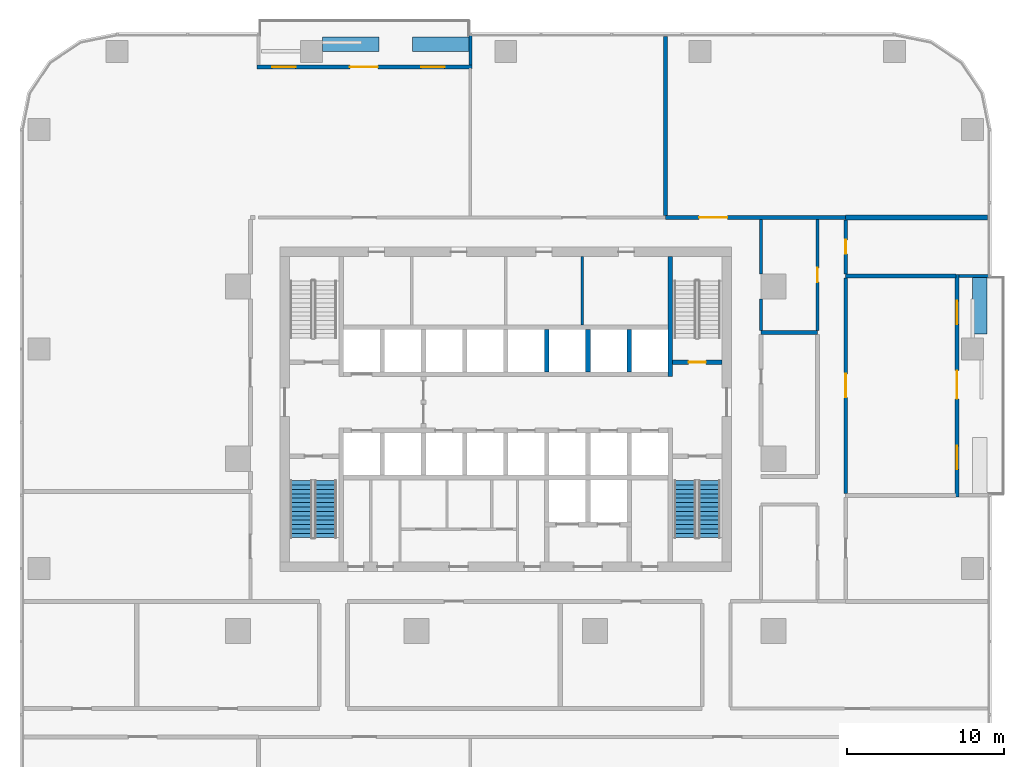
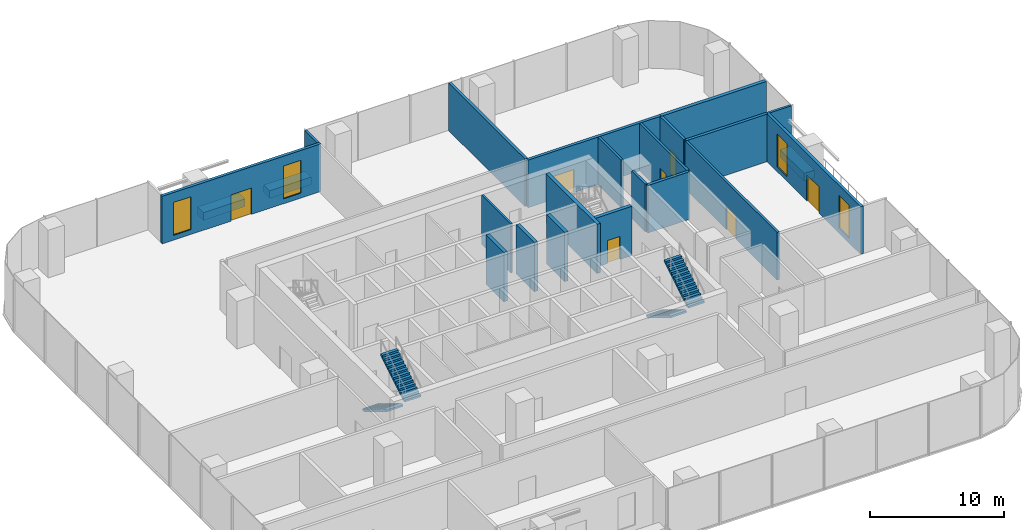
# One storey, part 10 of 15: 23 walls, 7 doors, 4 stair flights, 4 windows, 11 openings, 2 elements without a shape of their own.
"""IFC4 building model written with IfcOpenShell, lengths in metres."""

from ifc_helpers import new_model, si_unit, direction, frame, frame_2d, origin, place, context, subcontext, project, spatial, polyline, rectangle, outline, extrude, material, layer, layer_set, type_object, element, fill, aggregate, save


model = new_model("IFC4")

# Units and contexts
model_context = context("Model", 3, precision=1e-05, world=origin(), true_north=direction((0.0, 1.0)))
body_context = subcontext(model_context, "Body", "Model", "MODEL_VIEW")
ifc_project = project(units=[si_unit("LENGTHUNIT", "METRE"), si_unit("AREAUNIT", "SQUARE_METRE"), si_unit("VOLUMEUNIT", "CUBIC_METRE"), si_unit("PLANEANGLEUNIT", "RADIAN"), si_unit("MASSUNIT", "GRAM", prefix="KILO")], contexts=[model_context])

# Site, building, storey
site_placement = place(None, origin())
site = spatial("IfcSite", under=ifc_project, at=site_placement, CompositionType="ELEMENT")
building_placement = place(site_placement, origin())
building = spatial("IfcBuilding", under=site, at=building_placement, Name="Mopane Tessera Tower", CompositionType="ELEMENT")
storey_placement = place(building_placement, frame((0.0, 0.0, 69.39990234375)))
storey = spatial("IfcBuildingStorey", under=building, at=storey_placement, Name="L13", CompositionType="ELEMENT", Elevation=69.39990234375)

# Walls
ifc_material_1 = material(Name="Fire-rated gypsum board partition")
ifc_layer_1 = layer(ifc_material_1, 0.14990234375)
ifc_layer_set_1 = layer_set([ifc_layer_1], Name="Fire-rated gypsum board partition")
wall_type_1 = type_object("IfcWallType", Name="Core room partition 150 mm", PredefinedType="PARTITIONING", material=ifc_layer_set_1)
wall_1_placement = place(storey_placement, frame((4.875, 8.550048828125, 0.0), z_axis=(0.0, 0.0, 1.0), x_axis=(0.0, 1.0, 0.0)))
element("IfcWall", 1, at=wall_1_placement, inside=storey, type_object=wall_type_1, Name="L13 Room partition", PredefinedType="PARTITIONING", context=body_context, shape_type="SweptSolid", body=[
    extrude(rectangle(XDim=4.349853515625, YDim=0.14990234375, at=frame_2d((2.1748046875, 0.0))), origin(), (0.0, 0.0, 1.0), 4.5),
])
ifc_material_2 = material(Name="Concrete C60/75", Category="concrete")
ifc_layer_2 = layer(ifc_material_2, 0.300048828125)
ifc_layer_set_2 = layer_set([ifc_layer_2], Name="Concrete C60/75")
wall_type_2 = type_object("IfcWallType", Name="Core spine wall 300 mm", PredefinedType="SHEAR", material=ifc_layer_set_2)
wall_2_placement = place(storey_placement, frame((10.5, 5.25, 0.0), z_axis=(0.0, 0.0, 1.0), x_axis=(0.0, 1.0, 0.0)))
element("IfcWall", 2, at=wall_2_placement, inside=storey, type_object=wall_type_2, Name="L13 Core spine wall", PredefinedType="SHEAR", context=body_context, shape_type="SweptSolid", body=[
    extrude(rectangle(XDim=7.64990234375, YDim=0.300048828125, at=frame_2d((3.824951171875, 0.0))), origin(), (0.0, 0.0, 1.0), 4.5),
])
ifc_material_3 = material(Name="Gypsum board on steel studs, two layers each face, mineral wool infill", Category="steel")
ifc_layer_3 = layer(ifc_material_3, 0.199951171875)
ifc_layer_set_3 = layer_set([ifc_layer_3], Name="Gypsum board on steel studs, two layers each face, mineral wool infill")
wall_type_3 = type_object("IfcWallType", Name="Gypsum board corridor wall 200, rated EI 60", PredefinedType="PARTITIONING", material=ifc_layer_set_3)
wall_3_placement = place(storey_placement, frame((16.300048828125, 8.179931640625, 0.0), z_axis=(0.0, 0.0, 1.0), x_axis=(0.0, 1.0, 0.0)))
element("IfcWall", 3, at=wall_3_placement, inside=storey, type_object=wall_type_3, Name="Partition L13:036", PredefinedType="PARTITIONING", context=body_context, shape_type="SweptSolid", body=[
    extrude(rectangle(XDim=2.02001953125, YDim=0.199951171875, at=frame_2d((1.010009765625, 0.0))), origin(), (0.0, 0.0, 1.0), 4.35009765625),
])
wall_4_placement = place(storey_placement, frame((16.300048828125, 11.800048828125, 0.0), z_axis=(0.0, 0.0, 1.0), x_axis=(0.0, 1.0, 0.0)))
element("IfcWall", 4, at=wall_4_placement, inside=storey, type_object=wall_type_3, Name="Partition L13:037", PredefinedType="PARTITIONING", context=body_context, shape_type="SweptSolid", body=[
    extrude(rectangle(XDim=3.474853515625, YDim=0.199951171875, at=frame_2d((1.7373046875, 0.0))), origin(), (0.0, 0.0, 1.0), 4.35009765625),
])

# Wall, opening, door
wall_5_placement = place(storey_placement, frame((19.89990234375, 8.179931640625, 0.0), z_axis=(0.0, 0.0, 1.0), x_axis=(0.0, 1.0, 0.0)))
wall_5 = element("IfcWall", 5, at=wall_5_placement, inside=storey, type_object=wall_type_3, Name="Partition L13:040", PredefinedType="PARTITIONING", context=body_context, shape_type="SweptSolid", body=[
    extrude(rectangle(XDim=7.094970703125, YDim=0.199951171875, at=frame_2d((3.54736328125, 0.0))), origin(), (0.0, 0.0, 1.0), 4.35009765625),
])
opening_1_placement = place(wall_5_placement, frame((3.097412109375, 0.0, 0.0)))
opening_1 = element("IfcOpeningElement", 6, at=opening_1_placement, cuts=wall_5, Name="Opening L13-15", PredefinedType="OPENING", context=body_context, shape_type="SweptSolid", body=[
    extrude(rectangle(XDim=0.89990234375, YDim=2.10009765625, at=frame_2d((0.449951171875, 1.050048828125))), frame((0.0, 0.112060546875, 0.0), z_axis=(0.0, -1.0, 0.0), x_axis=(1.0, 0.0, 0.0)), (0.0, 0.0, 1.0), 0.223876953125),
])
ifc_material_4 = material(Name="Timber veneered steel-framed fire door", Category="steel")
door_type_1 = type_object("IfcDoorType", Name="Fire door FD60 900 x 2100", OperationType="SINGLE_SWING_LEFT", PredefinedType="DOOR", material=ifc_material_4)
door_1_placement = place(opening_1_placement, origin())
door_1 = element("IfcDoor", 7, at=door_1_placement, inside=storey, type_object=door_type_1, Name="Door L13-15", ObjectType="D10A", OperationType="SINGLE_SWING_RIGHT", OverallHeight=2.10009765625, OverallWidth=0.89990234375, PredefinedType="DOOR", context=body_context, shape_type="SweptSolid", body=[
    extrude(rectangle(XDim=0.89990234375, YDim=2.10009765625, at=frame_2d((0.449951171875, 1.050048828125))), frame((0.0, 0.02490234375, 0.0), z_axis=(0.0, -1.0, 0.0), x_axis=(1.0, 0.0, 0.0)), (0.0, 0.0, 1.0), 0.050048828125),
])
fill(opening_1, door_1)

wall_6_placement = place(storey_placement, frame((21.699951171875, -2.2099609375, 0.0), z_axis=(0.0, 0.0, 1.0), x_axis=(0.0, 1.0, 0.0)))
wall_6 = element("IfcWall", 8, at=wall_6_placement, inside=storey, type_object=wall_type_3, Name="Partition L13:042", PredefinedType="PARTITIONING", context=body_context, shape_type="SweptSolid", body=[
    extrude(rectangle(XDim=13.75, YDim=0.199951171875, at=frame_2d((6.875, 0.0))), origin(), (0.0, 0.0, 1.0), 4.35009765625),
])
opening_2_placement = place(wall_6_placement, frame((6.125, 0.0, 0.0)))
opening_2 = element("IfcOpeningElement", 9, at=opening_2_placement, cuts=wall_6, Name="Opening L13-18", PredefinedType="OPENING", context=body_context, shape_type="SweptSolid", body=[
    extrude(rectangle(XDim=1.5, YDim=2.10009765625, at=frame_2d((0.75, 1.050048828125))), frame((0.0, 0.112060546875, 0.0), z_axis=(0.0, -1.0, 0.0), x_axis=(1.0, 0.0, 0.0)), (0.0, 0.0, 1.0), 0.223876953125),
])
ifc_material_5 = material(Name="Timber veneered steel-framed fire door", Category="steel")
door_type_2 = type_object("IfcDoorType", Name="Fire door pair FD60 1500 x 2100", OperationType="DOUBLE_DOOR_SINGLE_SWING", PredefinedType="DOOR", material=ifc_material_5)
door_2_placement = place(opening_2_placement, origin())
door_2 = element("IfcDoor", 10, at=door_2_placement, inside=storey, type_object=door_type_2, Name="Door L13-18", ObjectType="D17A", OperationType="DOUBLE_DOOR_SINGLE_SWING", OverallHeight=2.10009765625, OverallWidth=1.5, PredefinedType="DOOR", context=body_context, shape_type="SweptSolid", body=[
    extrude(rectangle(XDim=1.5, YDim=2.10009765625, at=frame_2d((0.75, 1.050048828125))), frame((0.0, 0.02490234375, 0.0), z_axis=(0.0, -1.0, 0.0), x_axis=(1.0, 0.0, 0.0)), (0.0, 0.0, 1.0), 0.050048828125),
])
fill(opening_2, door_2)

ifc_material_6 = material(Name="Concrete C50/60", Category="concrete")
ifc_layer_4 = layer(ifc_material_6, 0.300048828125)
ifc_layer_set_4 = layer_set([ifc_layer_4], Name="Concrete C50/60")
wall_type_4 = type_object("IfcWallType", Name="Lift and stair shaft wall 300 mm", PredefinedType="SOLIDWALL", material=ifc_layer_set_4)
wall_7_placement = place(storey_placement, frame((10.64990234375, 6.14990234375, 0.0), z_axis=(0.0, 0.0, 1.0), x_axis=(1.0, 0.0, 0.0)))
wall_7 = element("IfcWall", 11, at=wall_7_placement, inside=storey, type_object=wall_type_4, Name="L13 Stair enclosure wall", PredefinedType="SOLIDWALL", context=body_context, shape_type="SweptSolid", body=[
    extrude(rectangle(XDim=3.150146484375, YDim=0.300048828125, at=frame_2d((1.5751953125, 0.0))), origin(), (0.0, 0.0, 1.0), 4.5),
])
opening_3_placement = place(wall_7_placement, frame((1.02490234375, 0.0, 0.0)))
opening_3 = element("IfcOpeningElement", 12, at=opening_3_placement, cuts=wall_7, Name="Opening SD1", PredefinedType="OPENING", context=body_context, shape_type="SweptSolid", body=[
    extrude(rectangle(XDim=1.10009765625, YDim=2.10009765625, at=frame_2d((0.550048828125, 1.050048828125))), frame((0.0, 0.162109375, 0.0), z_axis=(0.0, -1.0, 0.0), x_axis=(1.0, 0.0, 0.0)), (0.0, 0.0, 1.0), 0.323974609375),
])
ifc_material_7 = material(Name="Steel fire door", Category="steel")
door_type_3 = type_object("IfcDoorType", Name="Stair fire door 1100 x 2100", OperationType="SINGLE_SWING_LEFT", PredefinedType="DOOR", material=ifc_material_7)
door_3_placement = place(opening_3_placement, origin())
door_3 = element("IfcDoor", 13, at=door_3_placement, inside=storey, type_object=door_type_3, Name="L13 Stair door ST4", OperationType="SINGLE_SWING_RIGHT", OverallHeight=2.10009765625, OverallWidth=1.10009765625, PredefinedType="DOOR", context=body_context, shape_type="SweptSolid", body=[
    extrude(rectangle(XDim=1.10009765625, YDim=2.10009765625, at=frame_2d((0.550048828125, 1.050048828125))), frame((0.0, 0.02490234375, 0.0), z_axis=(0.0, -1.0, 0.0), x_axis=(1.0, 0.0, 0.0)), (0.0, 0.0, 1.0), 0.050048828125),
])
fill(opening_3, door_3)

# Walls
for number, where, z_axis, x_axis, name in (
    (14, (2.625, 5.550048828125, 0.0), (0.0, 0.0, 1.0), (0.0, 1.0, 0.0), "L13 Lift shaft wall"),
    (15, (5.25, 5.550048828125, 0.0), (0.0, 0.0, 1.0), (0.0, 1.0, 0.0), "L13 Lift shaft wall"),
    (16, (7.875, 5.550048828125, 0.0), (0.0, 0.0, 1.0), (0.0, 1.0, 0.0), "L13 Lift shaft wall"),
):
    element("IfcWall", number, at=place(storey_placement, frame(where, z_axis=z_axis, x_axis=x_axis)), inside=storey, type_object=wall_type_4, Name=name, PredefinedType="SOLIDWALL", context=body_context, shape_type="SweptSolid", body=[
        extrude(rectangle(XDim=2.699951171875, YDim=0.300048828125, at=frame_2d((1.35009765625, 0.0))), origin(), (0.0, 0.0, 1.0), 4.5),
    ])
ifc_material_8 = material(Name="Reinforced concrete C32/40 with waterproofing", Category="concrete")
ifc_layer_5 = layer(ifc_material_8, 0.89990234375)
ifc_layer_set_5 = layer_set([ifc_layer_5], Name="Reinforced concrete C32/40 with waterproofing")
wall_type_5 = type_object("IfcWallType", Name="Planter trough 3600 x 900", PredefinedType="STANDARD", material=ifc_layer_set_5)
for number, where, z_axis, x_axis, name in (
    (17, (30.25, 7.966552734375, 0.0), (0.0, 0.0, 1.0), (0.0, 1.0, 0.0), "e:nw:L13:N1:pl1"),
    (18, (-2.3544921875, 26.449951171875, 0.0), (0.0, 0.0, 1.0), (-1.0, 0.0, 0.0), "e:nw:L13:N2:pl0"),
    (19, (-8.079833984375, 26.449951171875, 0.0), (0.0, 0.0, 1.0), (-1.0, 0.0, 0.0), "e:nw:L13:N2:pl1"),
):
    element("IfcWall", number, at=place(storey_placement, frame(where, z_axis=z_axis, x_axis=x_axis)), inside=storey, type_object=wall_type_5, Name=name, PredefinedType="STANDARD", context=body_context, shape_type="SweptSolid", body=[
        extrude(rectangle(XDim=3.60009765625, YDim=0.89990234375, at=frame_2d((1.800048828125, 0.0))), origin(), (0.0, 0.0, 1.0), 0.7001953125),
    ])
ifc_material_9 = material(Name="Plastered concrete blockwork C20/25", Category="masonry")
ifc_layer_6 = layer(ifc_material_9, 0.300048828125)
ifc_layer_set_6 = layer_set([ifc_layer_6], Name="Plastered concrete blockwork C20/25")
wall_type_6 = type_object("IfcWallType", Name="Plastered blockwork separation wall 300, rated EI 120", PredefinedType="PARTITIONING", material=ifc_layer_set_6)
wall_8_placement = place(storey_placement, frame((21.699951171875, 15.39990234375, 0.0), z_axis=(0.0, 0.0, 1.0), x_axis=(1.0, 0.0, 0.0)))
element("IfcWall", 20, at=wall_8_placement, inside=storey, type_object=wall_type_6, Name="Partition L13:020", PredefinedType="PARTITIONING", context=body_context, shape_type="SweptSolid", body=[
    extrude(rectangle(XDim=9.050048828125, YDim=0.300048828125, at=frame_2d((4.52490234375, 0.0))), origin(), (0.0, 0.0, 1.0), 4.35009765625),
])
ifc_material_10 = material(Name="Plastered concrete blockwork C20/25", Category="masonry")
ifc_layer_7 = layer(ifc_material_10, 0.25)
ifc_layer_set_7 = layer_set([ifc_layer_7], Name="Plastered concrete blockwork C20/25")
wall_type_7 = type_object("IfcWallType", Name="Plastered blockwork wall 250, rated EI 120", PredefinedType="PARTITIONING", material=ifc_layer_set_7)
wall_9_placement = place(storey_placement, frame((16.300048828125, 8.054931640625, 0.0), z_axis=(0.0, 0.0, 1.0), x_axis=(1.0, 0.0, 0.0)))
element("IfcWall", 21, at=wall_9_placement, inside=storey, type_object=wall_type_7, Name="Partition L13:015", PredefinedType="PARTITIONING", context=body_context, shape_type="SweptSolid", body=[
    extrude(rectangle(XDim=3.599853515625, YDim=0.25, at=frame_2d((1.7998046875, 0.0))), origin(), (0.0, 0.0, 1.0), 4.35009765625),
])
wall_10_placement = place(storey_placement, frame((21.699951171875, 11.6650390625, 0.0), z_axis=(0.0, 0.0, 1.0), x_axis=(1.0, 0.0, 0.0)))
element("IfcWall", 22, at=wall_10_placement, inside=storey, type_object=wall_type_7, Name="Partition L13:016", PredefinedType="PARTITIONING", context=body_context, shape_type="SweptSolid", body=[
    extrude(rectangle(XDim=7.050048828125, YDim=0.25, at=frame_2d((3.52490234375, 0.0))), origin(), (0.0, 0.0, 1.0), 4.35009765625),
])

# Wall, opening, door
wall_11_placement = place(storey_placement, frame((10.18505859375, 15.39990234375, 0.0), z_axis=(0.0, 0.0, 1.0), x_axis=(1.0, 0.0, 0.0)))
wall_11 = element("IfcWall", 23, at=wall_11_placement, inside=storey, type_object=wall_type_7, Name="Partition L13:019", PredefinedType="PARTITIONING", context=body_context, shape_type="SweptSolid", body=[
    extrude(rectangle(XDim=11.514892578125, YDim=0.25, at=frame_2d((5.75732421875, 0.0))), origin(), (0.0, 0.0, 1.0), 4.35009765625),
])
opening_4_placement = place(wall_11_placement, frame((2.157470703125, 0.0, 0.0)))
opening_4 = element("IfcOpeningElement", 24, at=opening_4_placement, cuts=wall_11, Name="Opening L13-03", PredefinedType="OPENING", context=body_context, shape_type="SweptSolid", body=[
    extrude(rectangle(XDim=1.800048828125, YDim=2.10009765625, at=frame_2d((0.89990234375, 1.050048828125))), frame((0.0, 0.136962890625, 0.0), z_axis=(0.0, -1.0, 0.0), x_axis=(1.0, 0.0, 0.0)), (0.0, 0.0, 1.0), 0.27392578125),
])
ifc_material_11 = material(Name="Timber veneered steel-framed fire door", Category="steel")
door_type_4 = type_object("IfcDoorType", Name="Fire door pair FD120 1800 x 2100", OperationType="DOUBLE_DOOR_SINGLE_SWING", PredefinedType="DOOR", material=ifc_material_11)
door_4_placement = place(opening_4_placement, origin())
door_4 = element("IfcDoor", 25, at=door_4_placement, inside=storey, type_object=door_type_4, Name="Door L13-03", ObjectType="D20B", OperationType="DOUBLE_DOOR_SINGLE_SWING", OverallHeight=2.10009765625, OverallWidth=1.800048828125, PredefinedType="DOOR", context=body_context, shape_type="SweptSolid", body=[
    extrude(rectangle(XDim=1.800048828125, YDim=2.10009765625, at=frame_2d((0.89990234375, 1.050048828125))), frame((0.0, 0.02490234375, 0.0), z_axis=(0.0, -1.0, 0.0), x_axis=(1.0, 0.0, 0.0)), (0.0, 0.0, 1.0), 0.050048828125),
])
fill(opening_4, door_4)

# Wall
wall_12_placement = place(storey_placement, frame((10.18505859375, 15.52490234375, 0.0), z_axis=(0.0, 0.0, 1.0), x_axis=(0.0, 1.0, 0.0)))
element("IfcWall", 26, at=wall_12_placement, inside=storey, type_object=wall_type_7, Name="Partition L13:032", PredefinedType="PARTITIONING", context=body_context, shape_type="SweptSolid", body=[
    extrude(rectangle(XDim=11.425048828125, YDim=0.25, at=frame_2d((5.71240234375, 0.0))), origin(), (0.0, 0.0, 1.0), 4.35009765625),
])

# Wall, opening, door
wall_13_placement = place(storey_placement, frame((21.699951171875, 11.7900390625, 0.0), z_axis=(0.0, 0.0, 1.0), x_axis=(0.0, 1.0, 0.0)))
wall_13 = element("IfcWall", 27, at=wall_13_placement, inside=storey, type_object=wall_type_7, Name="Partition L13:044", PredefinedType="PARTITIONING", context=body_context, shape_type="SweptSolid", body=[
    extrude(rectangle(XDim=3.4599609375, YDim=0.25, at=frame_2d((1.72998046875, 0.0))), origin(), (0.0, 0.0, 1.0), 4.35009765625),
])
opening_5_placement = place(wall_13_placement, frame((1.280029296875, 0.0, 0.0)))
opening_5 = element("IfcOpeningElement", 28, at=opening_5_placement, cuts=wall_13, Name="Opening L13-06", PredefinedType="OPENING", context=body_context, shape_type="SweptSolid", body=[
    extrude(rectangle(XDim=0.89990234375, YDim=2.10009765625, at=frame_2d((0.449951171875, 1.050048828125))), frame((0.0, 0.136962890625, 0.0), z_axis=(0.0, -1.0, 0.0), x_axis=(1.0, 0.0, 0.0)), (0.0, 0.0, 1.0), 0.27392578125),
])
ifc_material_12 = material(Name="Timber veneered steel-framed fire door", Category="steel")
door_type_5 = type_object("IfcDoorType", Name="Fire door FD120 900 x 2100", OperationType="SINGLE_SWING_LEFT", PredefinedType="DOOR", material=ifc_material_12)
door_5_placement = place(opening_5_placement, origin())
door_5 = element("IfcDoor", 29, at=door_5_placement, inside=storey, type_object=door_type_5, Name="Door L13-06", ObjectType="D10B", OperationType="SINGLE_SWING_LEFT", OverallHeight=2.10009765625, OverallWidth=0.89990234375, PredefinedType="DOOR", context=body_context, shape_type="SweptSolid", body=[
    extrude(rectangle(XDim=0.89990234375, YDim=2.10009765625, at=frame_2d((0.449951171875, 1.050048828125))), frame((0.0, 0.02490234375, 0.0), z_axis=(0.0, -1.0, 0.0), x_axis=(1.0, 0.0, 0.0)), (0.0, 0.0, 1.0), 0.050048828125),
])
fill(opening_5, door_5)

# Walls
ifc_material_13 = material(Name="Blockwork with glazed tile facing", Category="masonry")
ifc_layer_8 = layer(ifc_material_13, 0.199951171875)
ifc_layer_set_8 = layer_set([ifc_layer_8], Name="Blockwork with glazed tile facing")
wall_type_8 = type_object("IfcWallType", Name="Terrace cheek wall 200", PredefinedType="STANDARD", material=ifc_layer_set_8)
for number, where, z_axis, x_axis, name in (
    (30, (30.800048828125, 11.666748046875, 0.0), (0.0, 0.0, 1.0), (-1.0, 0.0, 0.0), "e:nw:L13:N1:cheekb"),
    (31, (-2.254638671875, 27.0, 0.0), (0.0, 0.0, 1.0), (0.0, -1.0, 0.0), "e:nw:L13:N2:cheeka"),
):
    element("IfcWall", number, at=place(storey_placement, frame(where, z_axis=z_axis, x_axis=x_axis)), inside=storey, type_object=wall_type_8, Name=name, PredefinedType="STANDARD", context=body_context, shape_type="SweptSolid", body=[
        extrude(rectangle(XDim=1.875, YDim=0.199951171875, at=frame_2d((0.9375, 0.0))), origin(), (0.0, 0.0, 1.0), 4.35009765625),
    ])

# Wall, openings, windows, door
ifc_material_14 = material(Name="Blockwork with ochre glazed tile facing", Category="masonry")
ifc_layer_9 = layer(ifc_material_14, 0.25)
ifc_layer_set_9 = layer_set([ifc_layer_9], Name="Blockwork with ochre glazed tile facing")
wall_type_9 = type_object("IfcWallType", Name="Tile-clad external wall 250, ochre", PredefinedType="STANDARD", material=ifc_layer_set_9)
wall_14_placement = place(storey_placement, frame((28.800048828125, -2.433349609375, 0.0), z_axis=(0.0, 0.0, 1.0), x_axis=(0.0, 1.0, 0.0)))
wall_14 = element("IfcWall", 32, at=wall_14_placement, inside=storey, type_object=wall_type_9, Name="e:nw:L13:N1:back", PredefinedType="STANDARD", context=body_context, shape_type="SweptSolid", body=[
    extrude(rectangle(XDim=14.199951171875, YDim=0.25, at=frame_2d((7.10009765625, 0.0))), origin(), (0.0, 0.0, 1.0), 4.35009765625),
])
opening_6_placement = place(wall_14_placement, frame((1.75, 0.0, 0.449951171875)))
opening_6 = element("IfcOpeningElement", 33, at=opening_6_placement, cuts=wall_14, Name="Opening NW131A", PredefinedType="OPENING", context=body_context, shape_type="SweptSolid", body=[
    extrude(rectangle(XDim=1.5, YDim=3.0, at=frame_2d((0.75, 1.5))), frame((0.0, 0.136962890625, 0.0), z_axis=(0.0, -1.0, 0.0), x_axis=(1.0, 0.0, 0.0)), (0.0, 0.0, 1.0), 0.27392578125),
])
opening_7_placement = place(wall_14_placement, frame((6.25, 0.0, 0.0)))
opening_7 = element("IfcOpeningElement", 34, at=opening_7_placement, cuts=wall_14, Name="Opening ND131", PredefinedType="OPENING", context=body_context, shape_type="SweptSolid", body=[
    extrude(rectangle(XDim=1.800048828125, YDim=2.39990234375, at=frame_2d((0.89990234375, 1.199951171875))), frame((0.0, 0.136962890625, 0.0), z_axis=(0.0, -1.0, 0.0), x_axis=(1.0, 0.0, 0.0)), (0.0, 0.0, 1.0), 0.27392578125),
])
opening_8_placement = place(wall_14_placement, frame((11.0, 0.0, 0.449951171875)))
opening_8 = element("IfcOpeningElement", 35, at=opening_8_placement, cuts=wall_14, Name="Opening NW131B", PredefinedType="OPENING", context=body_context, shape_type="SweptSolid", body=[
    extrude(rectangle(XDim=1.5, YDim=3.0, at=frame_2d((0.75, 1.5))), frame((0.0, 0.136962890625, 0.0), z_axis=(0.0, -1.0, 0.0), x_axis=(1.0, 0.0, 0.0)), (0.0, 0.0, 1.0), 0.27392578125),
])
ifc_material_15 = material(Name="Clear laminated glass", Category="glass")
window_type = type_object("IfcWindowType", Name="Fixed window 1500 x 3000", PartitioningType="SINGLE_PANEL", PredefinedType="WINDOW", material=ifc_material_15)
window_1_placement = place(opening_6_placement, origin())
window_1 = element("IfcWindow", 36, at=window_1_placement, inside=storey, type_object=window_type, Name="e:nw:L13:N1:win0", OverallHeight=3.0, OverallWidth=1.5, PartitioningType="SINGLE_PANEL", PredefinedType="WINDOW", context=body_context, shape_type="SweptSolid", body=[
    extrude(rectangle(XDim=1.5, YDim=3.0, at=frame_2d((0.75, 1.5))), frame((0.0, 0.030029296875, 0.0), z_axis=(0.0, -1.0, 0.0), x_axis=(1.0, 0.0, 0.0)), (0.0, 0.0, 1.0), 0.06005859375),
])
fill(opening_6, window_1)
window_2_placement = place(opening_8_placement, origin())
window_2 = element("IfcWindow", 37, at=window_2_placement, inside=storey, type_object=window_type, Name="e:nw:L13:N1:win2", OverallHeight=3.0, OverallWidth=1.5, PartitioningType="SINGLE_PANEL", PredefinedType="WINDOW", context=body_context, shape_type="SweptSolid", body=[
    extrude(rectangle(XDim=1.5, YDim=3.0, at=frame_2d((0.75, 1.5))), frame((0.0, 0.030029296875, 0.0), z_axis=(0.0, -1.0, 0.0), x_axis=(1.0, 0.0, 0.0)), (0.0, 0.0, 1.0), 0.06005859375),
])
fill(opening_8, window_2)
ifc_material_16 = material(Name="Aluminium and clear glass", Category="aluminium")
door_type_6 = type_object("IfcDoorType", Name="Terrace double door 1800 x 2400", OperationType="DOUBLE_DOOR_SINGLE_SWING", PredefinedType="DOOR", material=ifc_material_16)
door_6_placement = place(opening_7_placement, origin())
door_6 = element("IfcDoor", 38, at=door_6_placement, inside=storey, type_object=door_type_6, Name="e:nw:L13:N1:door", ObjectType="D1", OperationType="DOUBLE_DOOR_SINGLE_SWING", OverallHeight=2.39990234375, OverallWidth=1.800048828125, PredefinedType="DOOR", context=body_context, shape_type="SweptSolid", body=[
    extrude(rectangle(XDim=1.800048828125, YDim=2.39990234375, at=frame_2d((0.89990234375, 1.199951171875))), frame((0.0, 0.02490234375, 0.0), z_axis=(0.0, -1.0, 0.0), x_axis=(1.0, 0.0, 0.0)), (0.0, 0.0, 1.0), 0.050048828125),
])
fill(opening_7, door_6)

wall_15_placement = place(storey_placement, frame((-2.154541015625, 25.0, 0.0), z_axis=(0.0, 0.0, 1.0), x_axis=(-1.0, 0.0, 0.0)))
wall_15 = element("IfcWall", 39, at=wall_15_placement, inside=storey, type_object=wall_type_9, Name="e:nw:L13:N2:back", PredefinedType="STANDARD", context=body_context, shape_type="SweptSolid", body=[
    extrude(rectangle(XDim=13.727294921875, YDim=0.25, at=frame_2d((6.86376953125, 0.0))), origin(), (0.0, 0.0, 1.0), 4.35009765625),
])
opening_9_placement = place(wall_15_placement, frame((1.75, 0.0, 0.449951171875)))
opening_9 = element("IfcOpeningElement", 40, at=opening_9_placement, cuts=wall_15, Name="Opening NW132A", PredefinedType="OPENING", context=body_context, shape_type="SweptSolid", body=[
    extrude(rectangle(XDim=1.5, YDim=3.0, at=frame_2d((0.75, 1.5))), frame((0.0, 0.136962890625, 0.0), z_axis=(0.0, -1.0, 0.0), x_axis=(1.0, 0.0, 0.0)), (0.0, 0.0, 1.0), 0.27392578125),
])
opening_10_placement = place(wall_15_placement, frame((6.0, 0.0, 0.0)))
opening_10 = element("IfcOpeningElement", 41, at=opening_10_placement, cuts=wall_15, Name="Opening ND132", PredefinedType="OPENING", context=body_context, shape_type="SweptSolid", body=[
    extrude(rectangle(XDim=1.800048828125, YDim=2.39990234375, at=frame_2d((0.89990234375, 1.199951171875))), frame((0.0, 0.136962890625, 0.0), z_axis=(0.0, -1.0, 0.0), x_axis=(1.0, 0.0, 0.0)), (0.0, 0.0, 1.0), 0.27392578125),
])
opening_11_placement = place(wall_15_placement, frame((11.25, 0.0, 0.449951171875)))
opening_11 = element("IfcOpeningElement", 42, at=opening_11_placement, cuts=wall_15, Name="Opening NW132B", PredefinedType="OPENING", context=body_context, shape_type="SweptSolid", body=[
    extrude(rectangle(XDim=1.5, YDim=3.0, at=frame_2d((0.75, 1.5))), frame((0.0, 0.136962890625, 0.0), z_axis=(0.0, -1.0, 0.0), x_axis=(1.0, 0.0, 0.0)), (0.0, 0.0, 1.0), 0.27392578125),
])
window_3_placement = place(opening_9_placement, origin())
window_3 = element("IfcWindow", 43, at=window_3_placement, inside=storey, type_object=window_type, Name="e:nw:L13:N2:win0", OverallHeight=3.0, OverallWidth=1.5, PartitioningType="SINGLE_PANEL", PredefinedType="WINDOW", context=body_context, shape_type="SweptSolid", body=[
    extrude(rectangle(XDim=1.5, YDim=3.0, at=frame_2d((0.75, 1.5))), frame((0.0, 0.030029296875, 0.0), z_axis=(0.0, -1.0, 0.0), x_axis=(1.0, 0.0, 0.0)), (0.0, 0.0, 1.0), 0.06005859375),
])
fill(opening_9, window_3)
window_4_placement = place(opening_11_placement, origin())
window_4 = element("IfcWindow", 44, at=window_4_placement, inside=storey, type_object=window_type, Name="e:nw:L13:N2:win2", OverallHeight=3.0, OverallWidth=1.5, PartitioningType="SINGLE_PANEL", PredefinedType="WINDOW", context=body_context, shape_type="SweptSolid", body=[
    extrude(rectangle(XDim=1.5, YDim=3.0, at=frame_2d((0.75, 1.5))), frame((0.0, 0.030029296875, 0.0), z_axis=(0.0, -1.0, 0.0), x_axis=(1.0, 0.0, 0.0)), (0.0, 0.0, 1.0), 0.06005859375),
])
fill(opening_11, window_4)
door_7_placement = place(opening_10_placement, origin())
door_7 = element("IfcDoor", 45, at=door_7_placement, inside=storey, type_object=door_type_6, Name="e:nw:L13:N2:door", ObjectType="D1", OperationType="DOUBLE_DOOR_SINGLE_SWING", OverallHeight=2.39990234375, OverallWidth=1.800048828125, PredefinedType="DOOR", context=body_context, shape_type="SweptSolid", body=[
    extrude(rectangle(XDim=1.800048828125, YDim=2.39990234375, at=frame_2d((0.89990234375, 1.199951171875))), frame((0.0, 0.02490234375, 0.0), z_axis=(0.0, -1.0, 0.0), x_axis=(1.0, 0.0, 0.0)), (0.0, 0.0, 1.0), 0.050048828125),
])
fill(opening_10, door_7)

# Stair, stair flights
ifc_material_17 = material(Name="Concrete C50/60", Category="concrete")
stair_type = type_object("IfcStairType", Name="Escape stair 1400 mm, riser 171 mm", PredefinedType="HALF_TURN_STAIR", material=ifc_material_17)
stair_1_placement = place(storey_placement, origin())
stair_1 = element("IfcStair", 46, at=stair_1_placement, inside=storey, type_object=stair_type, Name="L13 Escape stair south-west", PredefinedType="HALF_TURN_STAIR")
ifc_material_18 = material(Name="Concrete C50/60", Category="concrete")
stair_flight_type = type_object("IfcStairFlightType", Name="Escape stair flight 1400 mm", PredefinedType="STRAIGHT", material=ifc_material_18)
stair_flight_1_placement = place(storey_placement, frame((-13.050048828125, -1.39990234375, 0.0), z_axis=(0.0, 0.0, 1.0), x_axis=(0.0, -1.0, 0.0)))
stair_flight_1 = element("IfcStairFlight", 47, at=stair_flight_1_placement, type_object=stair_flight_type, Name="ST1 flight 1", NumberOfRisers=14, NumberOfTreads=13, PredefinedType="STRAIGHT", RiserHeight=0.171428571, TreadLength=0.28, context=body_context, shape_type="SweptSolid", body=[
    extrude(outline(polyline([(0.0, 0.0), (0.0, 0.17138671875), (0.280029296875, 0.17138671875), (0.280029296875, 0.3427734375), (0.56005859375, 0.3427734375), (0.56005859375, 0.514404296875), (0.840087890625, 0.514404296875), (0.840087890625, 0.685791015625), (1.1201171875, 0.685791015625), (1.1201171875, 0.857177734375), (1.39990234375, 0.857177734375), (1.39990234375, 1.028564453125), (1.679931640625, 1.028564453125), (1.679931640625, 1.199951171875), (1.9599609375, 1.199951171875), (1.9599609375, 1.371337890625), (2.239990234375, 1.371337890625), (2.239990234375, 1.54296875), (2.52001953125, 1.54296875), (2.52001953125, 1.71435546875), (2.800048828125, 1.71435546875), (2.800048828125, 1.8857421875), (3.080078125, 1.8857421875), (3.080078125, 2.05712890625), (3.360107421875, 2.05712890625), (3.360107421875, 2.228515625), (3.639892578125, 2.228515625), (3.639892578125, 2.39990234375), (3.639892578125, 2.052734375), (0.287109375, 0.0), (0.0, 0.0)])), frame((0.0, 0.699951171875, 0.0), z_axis=(0.0, -1.0, 0.0), x_axis=(1.0, 0.0, 0.0)), (0.0, 0.0, 1.0), 1.39990234375),
])
stair_flight_2_placement = place(storey_placement, frame((-11.5, -5.0400390625, 2.400146484375), z_axis=(0.0, 0.0, 1.0), x_axis=(0.0, 1.0, 0.0)))
stair_flight_2 = element("IfcStairFlight", 48, at=stair_flight_2_placement, type_object=stair_flight_type, Name="ST1 flight 2", NumberOfRisers=14, NumberOfTreads=13, PredefinedType="STRAIGHT", RiserHeight=0.171428571, TreadLength=0.28, context=body_context, shape_type="SweptSolid", body=[
    extrude(outline(polyline([(0.0, 0.0), (0.0, 0.17138671875), (0.280029296875, 0.17138671875), (0.280029296875, 0.3427734375), (0.56005859375, 0.3427734375), (0.56005859375, 0.514404296875), (0.840087890625, 0.514404296875), (0.840087890625, 0.685791015625), (1.1201171875, 0.685791015625), (1.1201171875, 0.857177734375), (1.39990234375, 0.857177734375), (1.39990234375, 1.028564453125), (1.679931640625, 1.028564453125), (1.679931640625, 1.199951171875), (1.9599609375, 1.199951171875), (1.9599609375, 1.371337890625), (2.239990234375, 1.371337890625), (2.239990234375, 1.54296875), (2.52001953125, 1.54296875), (2.52001953125, 1.71435546875), (2.800048828125, 1.71435546875), (2.800048828125, 1.8857421875), (3.080078125, 1.8857421875), (3.080078125, 2.05712890625), (3.360107421875, 2.05712890625), (3.360107421875, 2.228515625), (3.639892578125, 2.228515625), (3.639892578125, 2.39990234375), (3.639892578125, 2.052734375), (0.287109375, 0.0), (0.0, 0.0)])), frame((0.0, 0.699951171875, 0.0), z_axis=(0.0, -1.0, 0.0), x_axis=(1.0, 0.0, 0.0)), (0.0, 0.0, 1.0), 1.39990234375),
])
aggregate(stair_1, [stair_flight_1, stair_flight_2])

stair_2_placement = place(storey_placement, origin())
stair_2 = element("IfcStair", 49, at=stair_2_placement, inside=storey, type_object=stair_type, Name="L13 Escape stair south-east", PredefinedType="HALF_TURN_STAIR")
stair_flight_3_placement = place(storey_placement, frame((11.449951171875, -1.39990234375, 0.0), z_axis=(0.0, 0.0, 1.0), x_axis=(0.0, -1.0, 0.0)))
stair_flight_3 = element("IfcStairFlight", 50, at=stair_flight_3_placement, type_object=stair_flight_type, Name="ST3 flight 1", NumberOfRisers=14, NumberOfTreads=13, PredefinedType="STRAIGHT", RiserHeight=0.171428571, TreadLength=0.28, context=body_context, shape_type="SweptSolid", body=[
    extrude(outline(polyline([(0.0, 0.0), (0.0, 0.17138671875), (0.280029296875, 0.17138671875), (0.280029296875, 0.3427734375), (0.56005859375, 0.3427734375), (0.56005859375, 0.514404296875), (0.840087890625, 0.514404296875), (0.840087890625, 0.685791015625), (1.1201171875, 0.685791015625), (1.1201171875, 0.857177734375), (1.39990234375, 0.857177734375), (1.39990234375, 1.028564453125), (1.679931640625, 1.028564453125), (1.679931640625, 1.199951171875), (1.9599609375, 1.199951171875), (1.9599609375, 1.371337890625), (2.239990234375, 1.371337890625), (2.239990234375, 1.54296875), (2.52001953125, 1.54296875), (2.52001953125, 1.71435546875), (2.800048828125, 1.71435546875), (2.800048828125, 1.8857421875), (3.080078125, 1.8857421875), (3.080078125, 2.05712890625), (3.360107421875, 2.05712890625), (3.360107421875, 2.228515625), (3.639892578125, 2.228515625), (3.639892578125, 2.39990234375), (3.639892578125, 2.052734375), (0.287109375, 0.0), (0.0, 0.0)])), frame((0.0, 0.699951171875, 0.0), z_axis=(0.0, -1.0, 0.0), x_axis=(1.0, 0.0, 0.0)), (0.0, 0.0, 1.0), 1.39990234375),
])
stair_flight_4_placement = place(storey_placement, frame((13.0, -5.0400390625, 2.400146484375), z_axis=(0.0, 0.0, 1.0), x_axis=(0.0, 1.0, 0.0)))
stair_flight_4 = element("IfcStairFlight", 51, at=stair_flight_4_placement, type_object=stair_flight_type, Name="ST3 flight 2", NumberOfRisers=14, NumberOfTreads=13, PredefinedType="STRAIGHT", RiserHeight=0.171428571, TreadLength=0.28, context=body_context, shape_type="SweptSolid", body=[
    extrude(outline(polyline([(0.0, 0.0), (0.0, 0.17138671875), (0.280029296875, 0.17138671875), (0.280029296875, 0.3427734375), (0.56005859375, 0.3427734375), (0.56005859375, 0.514404296875), (0.840087890625, 0.514404296875), (0.840087890625, 0.685791015625), (1.1201171875, 0.685791015625), (1.1201171875, 0.857177734375), (1.39990234375, 0.857177734375), (1.39990234375, 1.028564453125), (1.679931640625, 1.028564453125), (1.679931640625, 1.199951171875), (1.9599609375, 1.199951171875), (1.9599609375, 1.371337890625), (2.239990234375, 1.371337890625), (2.239990234375, 1.54296875), (2.52001953125, 1.54296875), (2.52001953125, 1.71435546875), (2.800048828125, 1.71435546875), (2.800048828125, 1.8857421875), (3.080078125, 1.8857421875), (3.080078125, 2.05712890625), (3.360107421875, 2.05712890625), (3.360107421875, 2.228515625), (3.639892578125, 2.228515625), (3.639892578125, 2.39990234375), (3.639892578125, 2.052734375), (0.287109375, 0.0), (0.0, 0.0)])), frame((0.0, 0.699951171875, 0.0), z_axis=(0.0, -1.0, 0.0), x_axis=(1.0, 0.0, 0.0)), (0.0, 0.0, 1.0), 1.39990234375),
])
aggregate(stair_2, [stair_flight_3, stair_flight_4])

save(model, "model.ifc")
